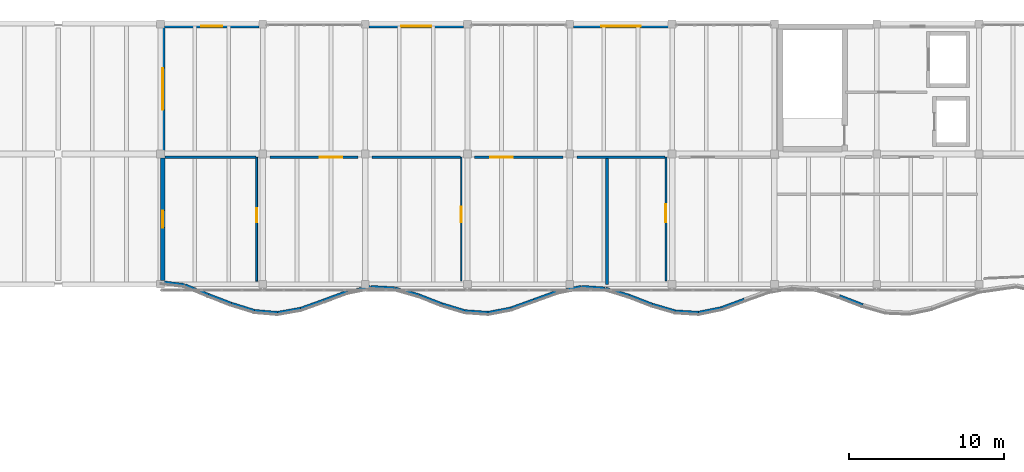
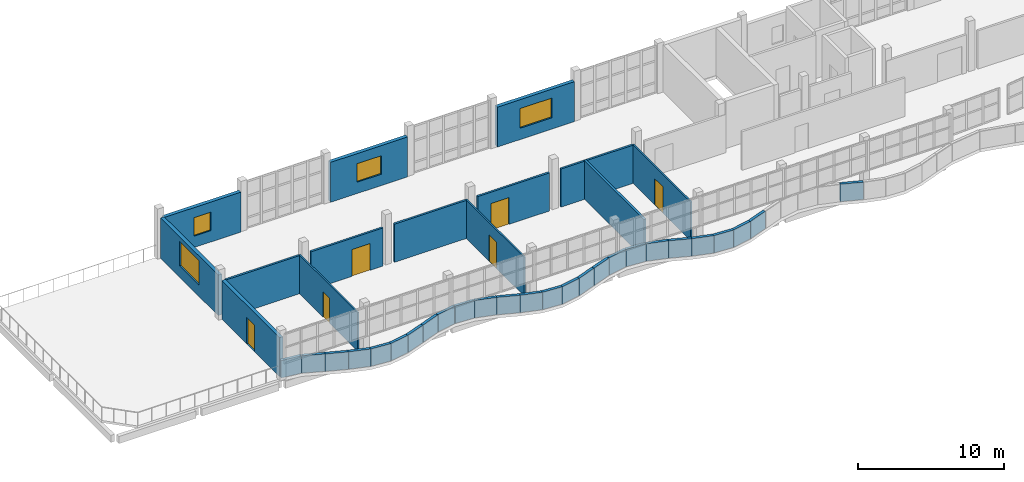
# One storey, part 36 of 47: 40 walls, 6 doors, 4 windows, 10 openings.
"""IFC4 building model written with IfcOpenShell, lengths in metres."""

import ifcopenshell
import ifcopenshell.guid

model = None  # the IFC model being written
_history = None  # IfcOwnerHistory: only IFC2X3 demands one
_inside = {}  # id of a spatial element -> (the spatial element, [elements in it])
_under = {}  # id of a project, library or spatial element -> (it, [spatial elements below it])
_declared = {}  # id of a project -> (the project, [libraries it declares])
_typed = {}  # id of a type object -> (the type object, [elements of that type])
_made_of = {}  # id of a material, layer set ... -> (it, [elements and type objects made of it])


def new_model(schema):
    """Start an empty IFC model of exactly this schema.

    Asked for "IFC4X3", IfcOpenShell would pick the latest addendum, in which some entities
    have other attributes; the version numbers below select the first issue.
    IFC2X3 requires an IfcOwnerHistory on every rooted entity: one is made here for all.
    """
    global model, _history
    if schema == "IFC4X3":
        model = ifcopenshell.file(schema_version=(4, 3, 0, 0))
    else:
        model = ifcopenshell.file(schema=schema)
    _inside.clear()
    _under.clear()
    _declared.clear()
    _typed.clear()
    _made_of.clear()
    _history = None
    if model.schema == "IFC2X3":
        org = make("IfcOrganization", Name="unknown")
        user = make(
            "IfcPersonAndOrganization",
            ThePerson=make("IfcPerson", FamilyName="unknown"),
            TheOrganization=org,
        )
        app = make(
            "IfcApplication",
            ApplicationDeveloper=org,
            Version="unknown",
            ApplicationFullName="unknown",
            ApplicationIdentifier="unknown",
        )
        _history = make(
            "IfcOwnerHistory",
            OwningUser=user,
            OwningApplication=app,
            ChangeAction="ADDED",
            CreationDate=0,
        )
    return model


def make(cls, **values):
    """One entity of the class cls with the attributes given. An attribute that is None is left unset."""
    return model.create_entity(
        cls, **{name: value for name, value in values.items() if value is not None}
    )


def rooted(cls, **values):
    """An entity with a GlobalId (a new one), such as an element, a storey or a relation."""
    return make(cls, GlobalId=ifcopenshell.guid.new(), OwnerHistory=_history, **values)


def si_unit(unit_type, name, prefix=None):
    """IfcSIUnit, for example si_unit("LENGTHUNIT", "METRE", prefix="MILLI")."""
    return make("IfcSIUnit", UnitType=unit_type, Prefix=prefix, Name=name)


def assignment(units):
    """IfcUnitAssignment: the units of a project."""
    return None if units is None else make("IfcUnitAssignment", Units=units)


def point(xyz):
    """IfcCartesianPoint."""
    return None if xyz is None else make("IfcCartesianPoint", Coordinates=xyz)


def direction(xyz):
    """IfcDirection."""
    return None if xyz is None else make("IfcDirection", DirectionRatios=xyz)


def frame(location, z_axis=None, x_axis=None):
    """IfcAxis2Placement3D, a coordinate frame: its origin and axes. An axis left out is left unset."""
    return make(
        "IfcAxis2Placement3D",
        Location=point(location),
        Axis=direction(z_axis),
        RefDirection=direction(x_axis),
    )


def frame_2d(location, x_axis=None):
    """IfcAxis2Placement2D, a coordinate frame in the plane: its origin and x axis."""
    return make(
        "IfcAxis2Placement2D", Location=point(location), RefDirection=direction(x_axis)
    )


def origin():
    """The frame at (0, 0, 0) with its axes left unset."""
    return frame((0.0, 0.0, 0.0))


def place(relative_to, where):
    """IfcLocalPlacement: puts the frame where relative to a parent placement (None: the world)."""
    return make(
        "IfcLocalPlacement", PlacementRelTo=relative_to, RelativePlacement=where
    )


def context(
    kind, dimensions, precision=None, world=None, true_north=None, identifier=None
):
    """IfcGeometricRepresentationContext, for example the 3D "Model" context."""
    return make(
        "IfcGeometricRepresentationContext",
        ContextIdentifier=identifier,
        ContextType=kind,
        CoordinateSpaceDimension=dimensions,
        Precision=precision,
        WorldCoordinateSystem=world,
        TrueNorth=true_north,
    )


def subcontext(parent, identifier, kind, view, scale=None):
    """IfcGeometricRepresentationSubContext, for example "Body" below "Model"."""
    return make(
        "IfcGeometricRepresentationSubContext",
        ContextIdentifier=identifier,
        ContextType=kind,
        ParentContext=parent,
        TargetScale=scale,
        TargetView=view,
    )


def project(units=None, contexts=None):
    """IfcProject with its units and contexts."""
    return rooted(
        "IfcProject",
        Name="project",
        RepresentationContexts=contexts,
        UnitsInContext=assignment(units),
    )


def spatial(cls, under=None, at=None, **own):
    """A site, building, storey or space (cls), placed at a placement, below another one or the project."""
    s = rooted(cls, ObjectPlacement=at, **own)
    if under is not None:
        _under.setdefault(under.id(), (under, []))[1].append(s)
    return s


def profile(cls, at=None, kind="AREA", **sizes):
    """A parametric profile (cls). Its sizes go by their IFC names, for example OverallWidth=200.0."""
    return make(cls, ProfileType=kind, Position=at, **sizes)


def rectangle(**sizes):
    """IfcRectangleProfileDef."""
    return profile("IfcRectangleProfileDef", **sizes)


def extrude(swept, where, along, depth):
    """IfcExtrudedAreaSolid: the profile swept, set in the frame where, extruded along a direction by depth."""
    return make(
        "IfcExtrudedAreaSolid",
        SweptArea=swept,
        Position=where,
        ExtrudedDirection=direction(along),
        Depth=depth,
    )


def shape(context_of_items, identifier, shape_type, items):
    """IfcShapeRepresentation: the items that make up one representation, for example the "Body"."""
    return make(
        "IfcShapeRepresentation",
        ContextOfItems=context_of_items,
        RepresentationIdentifier=identifier,
        RepresentationType=shape_type,
        Items=items,
    )


def material(Name=None, Category=None):
    """IfcMaterial."""
    return make("IfcMaterial", Name=Name, Category=Category)


def layer(
    of_material, thickness, ventilated=None, Name=None, Category=None, Priority=None
):
    """IfcMaterialLayer: one layer of a wall or slab, of a material (None: an air gap)."""
    return make(
        "IfcMaterialLayer",
        Material=of_material,
        LayerThickness=thickness,
        IsVentilated=ventilated,
        Name=Name,
        Category=Category,
        Priority=Priority,
    )


def layer_set(layers, Name=None):
    """IfcMaterialLayerSet."""
    return make("IfcMaterialLayerSet", MaterialLayers=layers, LayerSetName=Name)


def made_of(thing, what):
    """Note that an element or type object is made of a material, layer set ...; save() writes the relation."""
    if what is not None:
        _made_of.setdefault(what.id(), (what, []))[1].append(thing)
    return thing


def type_object(cls, material=None, **own):
    """A type object (cls), such as IfcWallType, which elements share."""
    return made_of(rooted(cls, **own), material)


def element(
    cls,
    number,
    at=None,
    inside=None,
    cuts=None,
    type_object=None,
    material=None,
    context=None,
    identifier="Body",
    shape_type=None,
    held_by="IfcProductDefinitionShape",
    body=None,
    shapes=None,
    **own,
):
    """One element of the class cls, such as IfcWall. Its Tag is "e" and its number.

    at: its placement. inside: the storey or other place that contains it. cuts: it is an
    opening in that element (IfcRelVoidsElement). A single representation is given by context,
    identifier, shape_type and body (its items); several are given by shapes. held_by: the class
    of the entity that holds the representations. save() writes the other relations.
    """
    e = rooted(cls, Tag="e%d" % number, ObjectPlacement=at, **own)
    if body is not None:
        shapes = [shape(context, identifier, shape_type, body)]
    if shapes is not None:
        e.Representation = make(held_by, Representations=shapes)
    if inside is not None:
        _inside.setdefault(inside.id(), (inside, []))[1].append(e)
    if cuts is not None:
        rooted(
            "IfcRelVoidsElement", RelatingBuildingElement=cuts, RelatedOpeningElement=e
        )
    if type_object is not None:
        _typed.setdefault(type_object.id(), (type_object, []))[1].append(e)
    return made_of(e, material)


def fill(opening, filler):
    """IfcRelFillsElement: the door or window that sits in an opening."""
    return rooted(
        "IfcRelFillsElement",
        RelatingOpeningElement=opening,
        RelatedBuildingElement=filler,
    )


def aggregate(whole, parts):
    """IfcRelAggregates: a whole, such as a stair, and the parts it consists of."""
    return rooted("IfcRelAggregates", RelatingObject=whole, RelatedObjects=parts)


def save(model, path):
    """Write the relations noted so far, then the file.

    IfcRelAggregates (storeys below a building ...), IfcRelContainedInSpatialStructure (elements
    in a storey), IfcRelDefinesByType, IfcRelAssociatesMaterial and IfcRelDeclares: one each for
    every whole, place, type object, material and project.
    """
    for whole, parts in _under.values():
        aggregate(whole, parts)
    for where, things in _inside.values():
        rooted(
            "IfcRelContainedInSpatialStructure",
            RelatedElements=things,
            RelatingStructure=where,
        )
    for kind, things in _typed.values():
        rooted("IfcRelDefinesByType", RelatedObjects=things, RelatingType=kind)
    for what, things in _made_of.values():
        rooted("IfcRelAssociatesMaterial", RelatedObjects=things, RelatingMaterial=what)
    for by, libraries in _declared.values():
        rooted("IfcRelDeclares", RelatingContext=by, RelatedDefinitions=libraries)
    model.write(path)


model = new_model("IFC4")

# Units and contexts
model_context = context("Model", 3, precision=1e-05, world=origin(), true_north=direction((0.0, 1.0)))
body_context = subcontext(model_context, "Body", "Model", "MODEL_VIEW")
ifc_project = project(units=[si_unit("LENGTHUNIT", "METRE"), si_unit("AREAUNIT", "SQUARE_METRE"), si_unit("VOLUMEUNIT", "CUBIC_METRE"), si_unit("PLANEANGLEUNIT", "RADIAN"), si_unit("MASSUNIT", "GRAM", prefix="KILO")], contexts=[model_context])

# Site, building, storey
site_placement = place(None, origin())
site = spatial("IfcSite", under=ifc_project, at=site_placement, CompositionType="ELEMENT")
building_placement = place(site_placement, origin())
building = spatial("IfcBuilding", under=site, at=building_placement, Name="Qaldarim Faculty of Natural and Applied Sciences", CompositionType="ELEMENT")
storey_placement = place(building_placement, frame((0.0, 0.0, 22.800048828125)))
storey = spatial("IfcBuildingStorey", under=building, at=storey_placement, Name="L05", CompositionType="ELEMENT", Elevation=22.800048828125)

# Wall, opening, door
ifc_material_1 = material(Name="Painted gypsum partition board")
ifc_layer_1 = layer(ifc_material_1, 0.1201171875)
ifc_layer_set_1 = layer_set([ifc_layer_1], Name="Painted gypsum partition board")
wall_type_1 = type_object("IfcWallType", Name="AcousticPartition-120", PredefinedType="PARTITIONING", material=ifc_layer_set_1)
wall_1_placement = place(storey_placement, frame((65.60009765625, 101.0, 0.0), z_axis=(0.0, 0.0, 1.0), x_axis=(0.0, 1.0, 0.0)))
wall_1 = element("IfcWall", 1, at=wall_1_placement, inside=storey, type_object=wall_type_1, Name="Interior partition PRT-L05-V4-SUB-1", PredefinedType="PARTITIONING", context=body_context, shape_type="SweptSolid", body=[
    extrude(rectangle(XDim=8.0, YDim=0.1201171875, at=frame_2d((4.0, 0.0))), origin(), (0.0, 0.0, 1.0), 3.22998046875),
])
opening_1_placement = place(wall_1_placement, frame((3.800048828125, 0.0, 0.0)))
opening_1 = element("IfcOpeningElement", 2, at=opening_1_placement, cuts=wall_1, Name="Opening ID07", PredefinedType="OPENING", context=body_context, shape_type="SweptSolid", body=[
    extrude(rectangle(XDim=0.89990234375, YDim=2.10009765625, at=frame_2d((0.449951171875, 1.050048828125))), frame((0.0, 0.070068359375, 0.0), z_axis=(0.0, -1.0, 0.0), x_axis=(1.0, 0.0, 0.0)), (0.0, 0.0, 1.0), 0.14013671875),
])
ifc_material_2 = material(Name="Oak hardwood", Category="wood")
door_type_1 = type_object("IfcDoorType", Name="OfficeStudyDoor-900x2100", OperationType="NOTDEFINED", PredefinedType="DOOR", material=ifc_material_2)
door_1_placement = place(opening_1_placement, origin())
door_1 = element("IfcDoor", 3, at=door_1_placement, inside=storey, type_object=door_type_1, Name="Interior door D-L05-351", OperationType="SINGLE_SWING_LEFT", OverallHeight=2.10009765625, OverallWidth=0.89990234375, PredefinedType="DOOR", context=body_context, shape_type="SweptSolid", body=[
    extrude(rectangle(XDim=0.89990234375, YDim=2.10009765625, at=frame_2d((0.449951171875, 1.050048828125))), frame((0.0, 0.02490234375, 0.0), z_axis=(0.0, -1.0, 0.0), x_axis=(1.0, 0.0, 0.0)), (0.0, 0.0, 1.0), 0.050048828125),
])
fill(opening_1, door_1)

wall_2_placement = place(storey_placement, frame((78.800048828125, 101.0, 0.0), z_axis=(0.0, 0.0, 1.0), x_axis=(0.0, 1.0, 0.0)))
wall_2 = element("IfcWall", 4, at=wall_2_placement, inside=storey, type_object=wall_type_1, Name="Interior partition PRT-L05-V4-SUB-2", PredefinedType="PARTITIONING", context=body_context, shape_type="SweptSolid", body=[
    extrude(rectangle(XDim=8.0, YDim=0.1201171875, at=frame_2d((4.0, 0.0))), origin(), (0.0, 0.0, 1.0), 3.22998046875),
])
opening_2_placement = place(wall_2_placement, frame((3.800048828125, 0.0, 0.0)))
opening_2 = element("IfcOpeningElement", 5, at=opening_2_placement, cuts=wall_2, Name="Opening ID08", PredefinedType="OPENING", context=body_context, shape_type="SweptSolid", body=[
    extrude(rectangle(XDim=1.0, YDim=2.199951171875, at=frame_2d((0.5, 1.10009765625))), frame((0.0, 0.070068359375, 0.0), z_axis=(0.0, -1.0, 0.0), x_axis=(1.0, 0.0, 0.0)), (0.0, 0.0, 1.0), 0.14013671875),
])
door_type_2 = type_object("IfcDoorType", Name="SeminarRoomDoor-1000x2200", OperationType="NOTDEFINED", PredefinedType="DOOR", material=ifc_material_2)
door_2_placement = place(opening_2_placement, origin())
door_2 = element("IfcDoor", 6, at=door_2_placement, inside=storey, type_object=door_type_2, Name="Interior door D-L05-352", OperationType="SINGLE_SWING_LEFT", OverallHeight=2.199951171875, OverallWidth=1.0, PredefinedType="DOOR", context=body_context, shape_type="SweptSolid", body=[
    extrude(rectangle(XDim=1.0, YDim=2.199951171875, at=frame_2d((0.5, 1.10009765625))), frame((0.0, 0.02490234375, 0.0), z_axis=(0.0, -1.0, 0.0), x_axis=(1.0, 0.0, 0.0)), (0.0, 0.0, 1.0), 0.050048828125),
])
fill(opening_2, door_2)

wall_3_placement = place(storey_placement, frame((92.0, 101.0, 0.0), z_axis=(0.0, 0.0, 1.0), x_axis=(0.0, 1.0, 0.0)))
wall_3 = element("IfcWall", 7, at=wall_3_placement, inside=storey, type_object=wall_type_1, Name="Interior partition PRT-L05-V4-SUB-3", PredefinedType="PARTITIONING", context=body_context, shape_type="SweptSolid", body=[
    extrude(rectangle(XDim=8.0, YDim=0.1201171875, at=frame_2d((4.0, 0.0))), origin(), (0.0, 0.0, 1.0), 3.22998046875),
])
opening_3_placement = place(wall_3_placement, frame((3.800048828125, 0.0, 0.0)))
opening_3 = element("IfcOpeningElement", 8, at=opening_3_placement, cuts=wall_3, Name="Opening ID09", PredefinedType="OPENING", context=body_context, shape_type="SweptSolid", body=[
    extrude(rectangle(XDim=1.14990234375, YDim=2.199951171875, at=frame_2d((0.574951171875, 1.10009765625))), frame((0.0, 0.070068359375, 0.0), z_axis=(0.0, -1.0, 0.0), x_axis=(1.0, 0.0, 0.0)), (0.0, 0.0, 1.0), 0.14013671875),
])
ifc_material_3 = material(Name="Architectural stainless steel 316", Category="steel")
door_type_3 = type_object("IfcDoorType", Name="CleanroomAirlockDoor-1150x2200", OperationType="NOTDEFINED", PredefinedType="DOOR", material=ifc_material_3)
door_3_placement = place(opening_3_placement, origin())
door_3 = element("IfcDoor", 9, at=door_3_placement, inside=storey, type_object=door_type_3, Name="Interior door D-L05-353", OperationType="SINGLE_SWING_LEFT", OverallHeight=2.199951171875, OverallWidth=1.14990234375, PredefinedType="DOOR", context=body_context, shape_type="SweptSolid", body=[
    extrude(rectangle(XDim=1.14990234375, YDim=2.199951171875, at=frame_2d((0.574951171875, 1.10009765625))), frame((0.0, 0.02490234375, 0.0), z_axis=(0.0, -1.0, 0.0), x_axis=(1.0, 0.0, 0.0)), (0.0, 0.0, 1.0), 0.050048828125),
])
fill(opening_3, door_3)

ifc_material_4 = material(Name="Precast concrete C40/50", Category="concrete")
ifc_layer_2 = layer(ifc_material_4, 0.280029296875)
ifc_layer_set_2 = layer_set([ifc_layer_2], Name="Precast concrete C40/50")
wall_type_2 = type_object("IfcWallType", Name="ExteriorSpandrelWall-280", PredefinedType="SOLIDWALL", material=ifc_layer_set_2)
wall_4_placement = place(storey_placement, frame((59.5400390625, 108.955078125, 0.0), z_axis=(0.0, 0.0, 1.0), x_axis=(0.0, -1.0, 0.0)))
wall_4 = element("IfcWall", 10, at=wall_4_placement, inside=storey, type_object=wall_type_2, Name="Exterior wall EW02 L05 W X10Y13", PredefinedType="SOLIDWALL", context=body_context, shape_type="SweptSolid", body=[
    extrude(rectangle(XDim=7.91015625, YDim=0.280029296875, at=frame_2d((3.955078125, 0.0))), origin(), (0.0, 0.0, 1.0), 3.244873046875),
])
opening_4_placement = place(wall_4_placement, frame((3.405029296875, 0.0, 0.0)))
opening_4 = element("IfcOpeningElement", 11, at=opening_4_placement, cuts=wall_4, Name="Opening ED03", PredefinedType="OPENING", context=body_context, shape_type="SweptSolid", body=[
    extrude(rectangle(XDim=1.10009765625, YDim=2.199951171875, at=frame_2d((0.550048828125, 1.10009765625))), frame((0.0, 0.14990234375, 0.0), z_axis=(0.0, -1.0, 0.0), x_axis=(1.0, 0.0, 0.0)), (0.0, 0.0, 1.0), 0.300048828125),
])
ifc_material_5 = material(Name="Anodised aluminium AW-6063", Category="aluminium")
door_type_4 = type_object("IfcDoorType", Name="TerraceAccessDoor-1100x2200", OperationType="NOTDEFINED", PredefinedType="DOOR", material=ifc_material_5)
door_4_placement = place(opening_4_placement, frame((1.10009765625, 0.0, 0.0), z_axis=(0.0, 0.0, 1.0), x_axis=(-1.0, 0.0, 0.0)))
door_4 = element("IfcDoor", 12, at=door_4_placement, inside=storey, type_object=door_type_4, Name="Terrace access door D-L05-028", OperationType="SINGLE_SWING_RIGHT", OverallHeight=2.199951171875, OverallWidth=1.10009765625, PredefinedType="DOOR", context=body_context, shape_type="SweptSolid", body=[
    extrude(rectangle(XDim=1.10009765625, YDim=2.199951171875, at=frame_2d((0.550048828125, 1.10009765625))), frame((0.0, 0.02490234375, 0.0), z_axis=(0.0, -1.0, 0.0), x_axis=(1.0, 0.0, 0.0)), (0.0, 0.0, 1.0), 0.050048828125),
])
fill(opening_4, door_4)

# Wall, opening, window
wall_5_placement = place(storey_placement, frame((65.7548828125, 117.4599609375, 0.0), z_axis=(0.0, 0.0, 1.0), x_axis=(-1.0, 0.0, 0.0)))
wall_5 = element("IfcWall", 13, at=wall_5_placement, inside=storey, type_object=wall_type_2, Name="Exterior wall EW02 L05 N X10Y14", PredefinedType="SOLIDWALL", context=body_context, shape_type="SweptSolid", body=[
    extrude(rectangle(XDim=6.10986328125, YDim=0.280029296875, at=frame_2d((3.054931640625, 0.0))), origin(), (0.0, 0.0, 1.0), 3.344970703125),
])
opening_5_placement = place(wall_5_placement, frame((2.3798828125, 0.0, 0.949951171875)))
opening_5 = element("IfcOpeningElement", 14, at=opening_5_placement, cuts=wall_5, Name="Opening WN09", PredefinedType="OPENING", context=body_context, shape_type="SweptSolid", body=[
    extrude(rectangle(XDim=1.35009765625, YDim=1.550048828125, at=frame_2d((0.675048828125, 0.77490234375))), frame((0.0, 0.14990234375, 0.0), z_axis=(0.0, -1.0, 0.0), x_axis=(1.0, 0.0, 0.0)), (0.0, 0.0, 1.0), 0.300048828125),
])
ifc_material_6 = material(Name="Insulated low-e double glazing", Category="glass")
window_type_1 = type_object("IfcWindowType", Name="LabWindow-1350x1550", PartitioningType="SINGLE_PANEL", PredefinedType="WINDOW", material=ifc_material_6)
window_1_placement = place(opening_5_placement, origin())
window_1 = element("IfcWindow", 15, at=window_1_placement, inside=storey, type_object=window_type_1, Name="Facade window WN09 L05 N X10Y14", OverallHeight=1.550048828125, OverallWidth=1.35009765625, PartitioningType="SINGLE_PANEL", PredefinedType="WINDOW", context=body_context, shape_type="SweptSolid", body=[
    extrude(rectangle(XDim=1.35009765625, YDim=1.550048828125, at=frame_2d((0.675048828125, 0.77490234375))), frame((0.0, 0.030029296875, 0.0), z_axis=(0.0, -1.0, 0.0), x_axis=(1.0, 0.0, 0.0)), (0.0, 0.0, 1.0), 0.06005859375),
])
fill(opening_5, window_1)

wall_6_placement = place(storey_placement, frame((59.5400390625, 117.35498046875, 0.0), z_axis=(0.0, 0.0, 1.0), x_axis=(0.0, -1.0, 0.0)))
wall_6 = element("IfcWall", 16, at=wall_6_placement, inside=storey, type_object=wall_type_2, Name="Exterior wall EW02 L05 W X10Y14", PredefinedType="SOLIDWALL", context=body_context, shape_type="SweptSolid", body=[
    extrude(rectangle(XDim=7.909912109375, YDim=0.280029296875, at=frame_2d((3.955078125, 0.0))), origin(), (0.0, 0.0, 1.0), 3.39501953125),
])
opening_6_placement = place(wall_6_placement, frame((2.60498046875, 0.0, 0.949951171875)))
opening_6 = element("IfcOpeningElement", 17, at=opening_6_placement, cuts=wall_6, Name="Opening WN29", PredefinedType="OPENING", context=body_context, shape_type="SweptSolid", body=[
    extrude(rectangle(XDim=2.699951171875, YDim=2.050048828125, at=frame_2d((1.35009765625, 1.02490234375))), frame((0.0, 0.14990234375, 0.0), z_axis=(0.0, -1.0, 0.0), x_axis=(1.0, 0.0, 0.0)), (0.0, 0.0, 1.0), 0.300048828125),
])
window_type_2 = type_object("IfcWindowType", Name="GalleryWindow-2700x2050", PartitioningType="TRIPLE_PANEL_VERTICAL", PredefinedType="WINDOW", material=ifc_material_6)
window_2_placement = place(opening_6_placement, origin())
window_2 = element("IfcWindow", 18, at=window_2_placement, inside=storey, type_object=window_type_2, Name="Facade window WN29 L05 W X10Y14", OverallHeight=2.050048828125, OverallWidth=2.699951171875, PartitioningType="SINGLE_PANEL", PredefinedType="WINDOW", context=body_context, shape_type="SweptSolid", body=[
    extrude(rectangle(XDim=2.699951171875, YDim=2.050048828125, at=frame_2d((1.35009765625, 1.02490234375))), frame((0.0, 0.030029296875, 0.0), z_axis=(0.0, -1.0, 0.0), x_axis=(1.0, 0.0, 0.0)), (0.0, 0.0, 1.0), 0.06005859375),
])
fill(opening_6, window_2)

wall_7_placement = place(storey_placement, frame((78.955078125, 117.4599609375, 0.0), z_axis=(0.0, 0.0, 1.0), x_axis=(-1.0, 0.0, 0.0)))
wall_7 = element("IfcWall", 19, at=wall_7_placement, inside=storey, type_object=wall_type_2, Name="Exterior wall EW02 L05 N X12Y14", PredefinedType="SOLIDWALL", context=body_context, shape_type="SweptSolid", body=[
    extrude(rectangle(XDim=6.110107421875, YDim=0.280029296875, at=frame_2d((3.05517578125, 0.0))), origin(), (0.0, 0.0, 1.0), 3.344970703125),
])
opening_7_placement = place(wall_7_placement, frame((2.080078125, 0.0, 0.949951171875)))
opening_7 = element("IfcOpeningElement", 20, at=opening_7_placement, cuts=wall_7, Name="Opening WN11", PredefinedType="OPENING", context=body_context, shape_type="SweptSolid", body=[
    extrude(rectangle(XDim=1.949951171875, YDim=1.550048828125, at=frame_2d((0.97509765625, 0.77490234375))), frame((0.0, 0.14990234375, 0.0), z_axis=(0.0, -1.0, 0.0), x_axis=(1.0, 0.0, 0.0)), (0.0, 0.0, 1.0), 0.300048828125),
])
window_type_3 = type_object("IfcWindowType", Name="LabWindow-1950x1550", PartitioningType="DOUBLE_PANEL_VERTICAL", PredefinedType="WINDOW", material=ifc_material_6)
window_3_placement = place(opening_7_placement, origin())
window_3 = element("IfcWindow", 21, at=window_3_placement, inside=storey, type_object=window_type_3, Name="Facade window WN11 L05 N X12Y14", OverallHeight=1.550048828125, OverallWidth=1.949951171875, PartitioningType="SINGLE_PANEL", PredefinedType="WINDOW", context=body_context, shape_type="SweptSolid", body=[
    extrude(rectangle(XDim=1.949951171875, YDim=1.550048828125, at=frame_2d((0.97509765625, 0.77490234375))), frame((0.0, 0.030029296875, 0.0), z_axis=(0.0, -1.0, 0.0), x_axis=(1.0, 0.0, 0.0)), (0.0, 0.0, 1.0), 0.06005859375),
])
fill(opening_7, window_3)

wall_8_placement = place(storey_placement, frame((92.155029296875, 117.4599609375, 0.0), z_axis=(0.0, 0.0, 1.0), x_axis=(-1.0, 0.0, 0.0)))
wall_8 = element("IfcWall", 22, at=wall_8_placement, inside=storey, type_object=wall_type_2, Name="Exterior wall EW02 L05 N X14Y14", PredefinedType="SOLIDWALL", context=body_context, shape_type="SweptSolid", body=[
    extrude(rectangle(XDim=6.110107421875, YDim=0.280029296875, at=frame_2d((3.05517578125, 0.0))), origin(), (0.0, 0.0, 1.0), 3.344970703125),
])
opening_8_placement = place(wall_8_placement, frame((1.780029296875, 0.0, 0.949951171875)))
opening_8 = element("IfcOpeningElement", 23, at=opening_8_placement, cuts=wall_8, Name="Opening WN13", PredefinedType="OPENING", context=body_context, shape_type="SweptSolid", body=[
    extrude(rectangle(XDim=2.550048828125, YDim=1.64990234375, at=frame_2d((1.27490234375, 0.824951171875))), frame((0.0, 0.14990234375, 0.0), z_axis=(0.0, -1.0, 0.0), x_axis=(1.0, 0.0, 0.0)), (0.0, 0.0, 1.0), 0.300048828125),
])
window_type_4 = type_object("IfcWindowType", Name="LabWindow-2550x1650", PartitioningType="TRIPLE_PANEL_VERTICAL", PredefinedType="WINDOW", material=ifc_material_6)
window_4_placement = place(opening_8_placement, origin())
window_4 = element("IfcWindow", 24, at=window_4_placement, inside=storey, type_object=window_type_4, Name="Facade window WN13 L05 N X14Y14", OverallHeight=1.64990234375, OverallWidth=2.550048828125, PartitioningType="SINGLE_PANEL", PredefinedType="WINDOW", context=body_context, shape_type="SweptSolid", body=[
    extrude(rectangle(XDim=2.550048828125, YDim=1.64990234375, at=frame_2d((1.27490234375, 0.824951171875))), frame((0.0, 0.030029296875, 0.0), z_axis=(0.0, -1.0, 0.0), x_axis=(1.0, 0.0, 0.0)), (0.0, 0.0, 1.0), 0.06005859375),
])
fill(opening_8, window_4)

# Wall
ifc_material_7 = material(Name="Concrete C40/50", Category="concrete")
ifc_layer_3 = layer(ifc_material_7, 0.159912109375)
ifc_layer_set_3 = layer_set([ifc_layer_3], Name="Concrete C40/50")
wall_type_3 = type_object("IfcWallType", Name="FireCorridorWall-160", PredefinedType="PARTITIONING", material=ifc_layer_set_3)
wall_9_placement = place(storey_placement, frame((59.679931640625, 109.0, 0.0), z_axis=(0.0, 0.0, 1.0), x_axis=(1.0, 0.0, 0.0)))
element("IfcWall", 25, at=wall_9_placement, inside=storey, type_object=wall_type_3, Name="Interior partition PRT-L05-V4-CORSW-S1", PredefinedType="PARTITIONING", context=body_context, shape_type="SweptSolid", body=[
    extrude(rectangle(XDim=5.8701171875, YDim=0.159912109375, at=frame_2d((2.93505859375, 0.0))), origin(), (0.0, 0.0, 1.0), 3.195068359375),
])

# Wall, opening, door
wall_10_placement = place(storey_placement, frame((66.449951171875, 109.0, 0.0), z_axis=(0.0, 0.0, 1.0), x_axis=(1.0, 0.0, 0.0)))
wall_10 = element("IfcWall", 26, at=wall_10_placement, inside=storey, type_object=wall_type_3, Name="Interior partition PRT-L05-V4-CORSW-S2", PredefinedType="PARTITIONING", context=body_context, shape_type="SweptSolid", body=[
    extrude(rectangle(XDim=5.699951171875, YDim=0.159912109375, at=frame_2d((2.85009765625, 0.0))), origin(), (0.0, 0.0, 1.0), 3.195068359375),
])
opening_9_placement = place(wall_10_placement, frame((3.22998046875, 0.0, 0.0)))
opening_9 = element("IfcOpeningElement", 27, at=opening_9_placement, cuts=wall_10, Name="Opening ID11", PredefinedType="OPENING", context=body_context, shape_type="SweptSolid", body=[
    extrude(rectangle(XDim=1.449951171875, YDim=2.25, at=frame_2d((0.72509765625, 1.125))), frame((0.0, 0.08984375, 0.0), z_axis=(0.0, -1.0, 0.0), x_axis=(1.0, 0.0, 0.0)), (0.0, 0.0, 1.0), 0.179931640625),
])
door_type_5 = type_object("IfcDoorType", Name="InstrumentSuiteDoor-1450x2250", OperationType="NOTDEFINED", PredefinedType="DOOR", material=ifc_material_3)
door_5_placement = place(opening_9_placement, origin())
door_5 = element("IfcDoor", 28, at=door_5_placement, inside=storey, type_object=door_type_5, Name="Interior door D-L05-255", OperationType="SINGLE_SWING_LEFT", OverallHeight=2.25, OverallWidth=1.449951171875, PredefinedType="DOOR", context=body_context, shape_type="SweptSolid", body=[
    extrude(rectangle(XDim=1.449951171875, YDim=2.25, at=frame_2d((0.72509765625, 1.125))), frame((0.0, 0.02490234375, 0.0), z_axis=(0.0, -1.0, 0.0), x_axis=(1.0, 0.0, 0.0)), (0.0, 0.0, 1.0), 0.050048828125),
])
fill(opening_9, door_5)

# Wall
wall_11_placement = place(storey_placement, frame((73.050048828125, 109.0, 0.0), z_axis=(0.0, 0.0, 1.0), x_axis=(1.0, 0.0, 0.0)))
element("IfcWall", 29, at=wall_11_placement, inside=storey, type_object=wall_type_3, Name="Interior partition PRT-L05-V4-CORSW-S3", PredefinedType="PARTITIONING", context=body_context, shape_type="SweptSolid", body=[
    extrude(rectangle(XDim=5.699951171875, YDim=0.159912109375, at=frame_2d((2.85009765625, 0.0))), origin(), (0.0, 0.0, 1.0), 3.195068359375),
])

# Wall, opening, door
wall_12_placement = place(storey_placement, frame((79.64990234375, 109.0, 0.0), z_axis=(0.0, 0.0, 1.0), x_axis=(1.0, 0.0, 0.0)))
wall_12 = element("IfcWall", 30, at=wall_12_placement, inside=storey, type_object=wall_type_3, Name="Interior partition PRT-L05-V4-CORSW-S4", PredefinedType="PARTITIONING", context=body_context, shape_type="SweptSolid", body=[
    extrude(rectangle(XDim=5.7001953125, YDim=0.159912109375, at=frame_2d((2.85009765625, 0.0))), origin(), (0.0, 0.0, 1.0), 3.195068359375),
])
opening_10_placement = place(wall_12_placement, frame((1.030029296875, 0.0, 0.0)))
opening_10 = element("IfcOpeningElement", 31, at=opening_10_placement, cuts=wall_12, Name="Opening ID11", PredefinedType="OPENING", context=body_context, shape_type="SweptSolid", body=[
    extrude(rectangle(XDim=1.449951171875, YDim=2.25, at=frame_2d((0.72509765625, 1.125))), frame((0.0, 0.08984375, 0.0), z_axis=(0.0, -1.0, 0.0), x_axis=(1.0, 0.0, 0.0)), (0.0, 0.0, 1.0), 0.179931640625),
])
door_6_placement = place(opening_10_placement, origin())
door_6 = element("IfcDoor", 32, at=door_6_placement, inside=storey, type_object=door_type_5, Name="Interior door D-L05-256", OperationType="SINGLE_SWING_RIGHT", OverallHeight=2.25, OverallWidth=1.449951171875, PredefinedType="DOOR", context=body_context, shape_type="SweptSolid", body=[
    extrude(rectangle(XDim=1.449951171875, YDim=2.25, at=frame_2d((0.72509765625, 1.125))), frame((0.0, 0.02490234375, 0.0), z_axis=(0.0, -1.0, 0.0), x_axis=(1.0, 0.0, 0.0)), (0.0, 0.0, 1.0), 0.050048828125),
])
fill(opening_10, door_6)

# Walls
wall_13_placement = place(storey_placement, frame((86.25, 109.0, 0.0), z_axis=(0.0, 0.0, 1.0), x_axis=(1.0, 0.0, 0.0)))
element("IfcWall", 33, at=wall_13_placement, inside=storey, type_object=wall_type_3, Name="Interior partition PRT-L05-V4-CORSW-S5", PredefinedType="PARTITIONING", context=body_context, shape_type="SweptSolid", body=[
    extrude(rectangle(XDim=5.699951171875, YDim=0.159912109375, at=frame_2d((2.85009765625, 0.0))), origin(), (0.0, 0.0, 1.0), 3.195068359375),
])
ifc_layer_4 = layer(ifc_material_7, 0.179931640625)
ifc_layer_set_4 = layer_set([ifc_layer_4], Name="Concrete C40/50")
wall_type_4 = type_object("IfcWallType", Name="LabFireCompartmentWall-180", PredefinedType="SOLIDWALL", material=ifc_layer_set_4)
wall_14_placement = place(storey_placement, frame((88.199951171875, 100.800048828125, 0.0), z_axis=(0.0, 0.0, 1.0), x_axis=(0.0, 1.0, 0.0)))
element("IfcWall", 34, at=wall_14_placement, inside=storey, type_object=wall_type_4, Name="Interior partition PRT-L05-V4-GRDD", PredefinedType="SOLIDWALL", context=body_context, shape_type="SweptSolid", body=[
    extrude(rectangle(XDim=8.199951171875, YDim=0.179931640625, at=frame_2d((4.10009765625, 0.0))), origin(), (0.0, 0.0, 1.0), 3.22998046875),
])
ifc_material_8 = material(Name="White architectural precast concrete C40/50", Category="concrete")
ifc_layer_5 = layer(ifc_material_8, 0.219970703125)
ifc_layer_set_5 = layer_set([ifc_layer_5], Name="White architectural precast concrete C40/50")
wall_type_5 = type_object("IfcWallType", Name="WhitePrecastWaveBand-220", PredefinedType="SOLIDWALL", material=ifc_layer_set_5)
wall_15_placement = place(storey_placement, frame((59.419921875, 100.93994140625, 0.0), z_axis=(0.0, 0.0, 1.0), x_axis=(0.9917791796, -0.127961161733, 0.0)))
element("IfcWall", 35, at=wall_15_placement, inside=storey, type_object=wall_type_5, Name="White precast wave spandrel band L05 chord 01", PredefinedType="SOLIDWALL", context=body_context, shape_type="SweptSolid", body=[
    extrude(rectangle(XDim=1.5224609375, YDim=0.219970703125, at=frame_2d((0.76123046875, 0.0))), origin(), (0.0, 0.0, 1.0), 1.449951171875),
])
wall_16_placement = place(storey_placement, frame((60.965087890625, 100.735107421875, 0.0), z_axis=(0.0, 0.0, 1.0), x_axis=(0.924578660971, -0.380991206824, 0.0)))
element("IfcWall", 36, at=wall_16_placement, inside=storey, type_object=wall_type_5, Name="White precast wave spandrel band L05 chord 02", PredefinedType="SOLIDWALL", context=body_context, shape_type="SweptSolid", body=[
    extrude(rectangle(XDim=1.627685546875, YDim=0.219970703125, at=frame_2d((0.81396484375, 0.0))), origin(), (0.0, 0.0, 1.0), 1.449951171875),
])
wall_17_placement = place(storey_placement, frame((62.465087890625, 100.114990234375, 0.0), z_axis=(0.0, 0.0, 1.0), x_axis=(0.933489457338, -0.358604842463, 0.0)))
element("IfcWall", 37, at=wall_17_placement, inside=storey, type_object=wall_type_5, Name="White precast wave spandrel band L05 chord 03", PredefinedType="SOLIDWALL", context=body_context, shape_type="SweptSolid", body=[
    extrude(rectangle(XDim=1.61767578125, YDim=0.219970703125, at=frame_2d((0.808837890625, 0.0))), origin(), (0.0, 0.0, 1.0), 1.449951171875),
])
wall_18_placement = place(storey_placement, frame((63.965087890625, 99.5400390625, 0.0), z_axis=(0.0, 0.0, 1.0), x_axis=(0.95482271116, -0.297176025705, 0.0)))
element("IfcWall", 38, at=wall_18_placement, inside=storey, type_object=wall_type_5, Name="White precast wave spandrel band L05 chord 04", PredefinedType="SOLIDWALL", context=body_context, shape_type="SweptSolid", body=[
    extrude(rectangle(XDim=1.58154296875, YDim=0.219970703125, at=frame_2d((0.790771484375, 0.0))), origin(), (0.0, 0.0, 1.0), 1.449951171875),
])
wall_19_placement = place(storey_placement, frame((65.445068359375, 99.074951171875, 0.0), z_axis=(0.0, 0.0, 1.0), x_axis=(0.99632114943, -0.085698116653, 0.0)))
element("IfcWall", 39, at=wall_19_placement, inside=storey, type_object=wall_type_5, Name="White precast wave spandrel band L05 chord 05", PredefinedType="SOLIDWALL", context=body_context, shape_type="SweptSolid", body=[
    extrude(rectangle(XDim=1.515625, YDim=0.219970703125, at=frame_2d((0.7578125, 0.0))), origin(), (0.0, 0.0, 1.0), 1.449951171875),
])
wall_20_placement = place(storey_placement, frame((66.919921875, 98.945068359375, 0.0), z_axis=(0.0, 0.0, 1.0), x_axis=(0.984286152258, 0.176580776058, 0.0)))
element("IfcWall", 40, at=wall_20_placement, inside=storey, type_object=wall_type_5, Name="White precast wave spandrel band L05 chord 06", PredefinedType="SOLIDWALL", context=body_context, shape_type="SweptSolid", body=[
    extrude(rectangle(XDim=1.529052734375, YDim=0.219970703125, at=frame_2d((0.7646484375, 0.0))), origin(), (0.0, 0.0, 1.0), 1.449951171875),
])
wall_21_placement = place(storey_placement, frame((68.405029296875, 99.205078125, 0.0), z_axis=(0.0, 0.0, 1.0), x_axis=(0.941593715183, 0.336751058688, 0.0)))
element("IfcWall", 41, at=wall_21_placement, inside=storey, type_object=wall_type_5, Name="White precast wave spandrel band L05 chord 07", PredefinedType="SOLIDWALL", context=body_context, shape_type="SweptSolid", body=[
    extrude(rectangle(XDim=1.603759765625, YDim=0.219970703125, at=frame_2d((0.8017578125, 0.0))), origin(), (0.0, 0.0, 1.0), 1.449951171875),
])
wall_22_placement = place(storey_placement, frame((69.909912109375, 99.7451171875, 0.0), z_axis=(0.0, 0.0, 1.0), x_axis=(0.937637162141, 0.347615523491, 0.0)))
element("IfcWall", 42, at=wall_22_placement, inside=storey, type_object=wall_type_5, Name="White precast wave spandrel band L05 chord 08", PredefinedType="SOLIDWALL", context=body_context, shape_type="SweptSolid", body=[
    extrude(rectangle(XDim=1.6103515625, YDim=0.219970703125, at=frame_2d((0.80517578125, 0.0))), origin(), (0.0, 0.0, 1.0), 1.449951171875),
])
wall_23_placement = place(storey_placement, frame((71.43994140625, 100.31005859375, 0.0), z_axis=(0.0, 0.0, 1.0), x_axis=(0.980088467878, 0.198561313281, 0.0)))
element("IfcWall", 43, at=wall_23_placement, inside=storey, type_object=wall_type_5, Name="White precast wave spandrel band L05 chord 09", PredefinedType="SOLIDWALL", context=body_context, shape_type="SweptSolid", body=[
    extrude(rectangle(XDim=1.53564453125, YDim=0.219970703125, at=frame_2d((0.767822265625, 0.0))), origin(), (0.0, 0.0, 1.0), 1.449951171875),
])
wall_24_placement = place(storey_placement, frame((72.985107421875, 100.6201171875, 0.0), z_axis=(0.0, 0.0, 1.0), x_axis=(0.998411797522, -0.056337221881, 0.0)))
element("IfcWall", 44, at=wall_24_placement, inside=storey, type_object=wall_type_5, Name="White precast wave spandrel band L05 chord 10", PredefinedType="SOLIDWALL", context=body_context, shape_type="SweptSolid", body=[
    extrude(rectangle(XDim=1.512451171875, YDim=0.219970703125, at=frame_2d((0.75634765625, 0.0))), origin(), (0.0, 0.0, 1.0), 1.449951171875),
])
wall_25_placement = place(storey_placement, frame((74.52490234375, 100.530029296875, 0.0), z_axis=(0.0, 0.0, 1.0), x_axis=(0.960911858265, -0.276854475575, 0.0)))
element("IfcWall", 45, at=wall_25_placement, inside=storey, type_object=wall_type_5, Name="White precast wave spandrel band L05 chord 11", PredefinedType="SOLIDWALL", context=body_context, shape_type="SweptSolid", body=[
    extrude(rectangle(XDim=1.571533203125, YDim=0.219970703125, at=frame_2d((0.78564453125, 0.0))), origin(), (0.0, 0.0, 1.0), 1.449951171875),
])
wall_26_placement = place(storey_placement, frame((76.044921875, 100.090087890625, 0.0), z_axis=(0.0, 0.0, 1.0), x_axis=(0.932425592002, -0.361362028137, 0.0)))
element("IfcWall", 46, at=wall_26_placement, inside=storey, type_object=wall_type_5, Name="White precast wave spandrel band L05 chord 12", PredefinedType="SOLIDWALL", context=body_context, shape_type="SweptSolid", body=[
    extrude(rectangle(XDim=1.619384765625, YDim=0.219970703125, at=frame_2d((0.8095703125, 0.0))), origin(), (0.0, 0.0, 1.0), 1.449951171875),
])
wall_27_placement = place(storey_placement, frame((77.544921875, 99.510009765625, 0.0), z_axis=(0.0, 0.0, 1.0), x_axis=(0.957204425506, -0.28941266004, 0.0)))
element("IfcWall", 47, at=wall_27_placement, inside=storey, type_object=wall_type_5, Name="White precast wave spandrel band L05 chord 13", PredefinedType="SOLIDWALL", context=body_context, shape_type="SweptSolid", body=[
    extrude(rectangle(XDim=1.572509765625, YDim=0.219970703125, at=frame_2d((0.7861328125, 0.0))), origin(), (0.0, 0.0, 1.0), 1.449951171875),
])
wall_28_placement = place(storey_placement, frame((79.02001953125, 99.06005859375, 0.0), z_axis=(0.0, 0.0, 1.0), x_axis=(0.997352012073, -0.072725263936, 0.0)))
element("IfcWall", 48, at=wall_28_placement, inside=storey, type_object=wall_type_5, Name="White precast wave spandrel band L05 chord 14", PredefinedType="SOLIDWALL", context=body_context, shape_type="SweptSolid", body=[
    extrude(rectangle(XDim=1.513916015625, YDim=0.219970703125, at=frame_2d((0.7568359375, 0.0))), origin(), (0.0, 0.0, 1.0), 1.449951171875),
])
wall_29_placement = place(storey_placement, frame((80.4951171875, 98.945068359375, 0.0), z_axis=(0.0, 0.0, 1.0), x_axis=(0.982042675123, 0.188658909775, 0.0)))
element("IfcWall", 49, at=wall_29_placement, inside=storey, type_object=wall_type_5, Name="White precast wave spandrel band L05 chord 15", PredefinedType="SOLIDWALL", context=body_context, shape_type="SweptSolid", body=[
    extrude(rectangle(XDim=1.537353515625, YDim=0.219970703125, at=frame_2d((0.7685546875, 0.0))), origin(), (0.0, 0.0, 1.0), 1.449951171875),
])
wall_30_placement = place(storey_placement, frame((81.97998046875, 99.22998046875, 0.0), z_axis=(0.0, 0.0, 1.0), x_axis=(0.940273425519, 0.340420159896, 0.0)))
element("IfcWall", 50, at=wall_30_placement, inside=storey, type_object=wall_type_5, Name="White precast wave spandrel band L05 chord 16", PredefinedType="SOLIDWALL", context=body_context, shape_type="SweptSolid", body=[
    extrude(rectangle(XDim=1.600830078125, YDim=0.219970703125, at=frame_2d((0.80029296875, 0.0))), origin(), (0.0, 0.0, 1.0), 1.449951171875),
])
wall_31_placement = place(storey_placement, frame((83.485107421875, 99.77490234375, 0.0), z_axis=(0.0, 0.0, 1.0), x_axis=(0.939602550045, 0.342267509337, 0.0)))
element("IfcWall", 51, at=wall_31_placement, inside=storey, type_object=wall_type_5, Name="White precast wave spandrel band L05 chord 17", PredefinedType="SOLIDWALL", context=body_context, shape_type="SweptSolid", body=[
    extrude(rectangle(XDim=1.607177734375, YDim=0.219970703125, at=frame_2d((0.8037109375, 0.0))), origin(), (0.0, 0.0, 1.0), 1.449951171875),
])
wall_32_placement = place(storey_placement, frame((85.02001953125, 100.330078125, 0.0), z_axis=(0.0, 0.0, 1.0), x_axis=(0.98145565631, 0.19168931816, 0.0)))
element("IfcWall", 52, at=wall_32_placement, inside=storey, type_object=wall_type_5, Name="White precast wave spandrel band L05 chord 18", PredefinedType="SOLIDWALL", context=body_context, shape_type="SweptSolid", body=[
    extrude(rectangle(XDim=1.53857421875, YDim=0.219970703125, at=frame_2d((0.769287109375, 0.0))), origin(), (0.0, 0.0, 1.0), 1.449951171875),
])
wall_33_placement = place(storey_placement, frame((86.56494140625, 100.6298828125, 0.0), z_axis=(0.0, 0.0, 1.0), x_axis=(0.997363695451, -0.072564860623, 0.0)))
element("IfcWall", 53, at=wall_33_placement, inside=storey, type_object=wall_type_5, Name="White precast wave spandrel band L05 chord 19", PredefinedType="SOLIDWALL", context=body_context, shape_type="SweptSolid", body=[
    extrude(rectangle(XDim=1.513916015625, YDim=0.219970703125, at=frame_2d((0.7568359375, 0.0))), origin(), (0.0, 0.0, 1.0), 1.449951171875),
])
wall_34_placement = place(storey_placement, frame((88.10498046875, 100.514892578125, 0.0), z_axis=(0.0, 0.0, 1.0), x_axis=(0.958103864289, -0.286420993006, 0.0)))
element("IfcWall", 54, at=wall_34_placement, inside=storey, type_object=wall_type_5, Name="White precast wave spandrel band L05 chord 20", PredefinedType="SOLIDWALL", context=body_context, shape_type="SweptSolid", body=[
    extrude(rectangle(XDim=1.571044921875, YDim=0.219970703125, at=frame_2d((0.78564453125, 0.0))), origin(), (0.0, 0.0, 1.0), 1.449951171875),
])
wall_35_placement = place(storey_placement, frame((89.6201171875, 100.06005859375, 0.0), z_axis=(0.0, 0.0, 1.0), x_axis=(0.932456704717, -0.361281737468, 0.0)))
element("IfcWall", 55, at=wall_35_placement, inside=storey, type_object=wall_type_5, Name="White precast wave spandrel band L05 chord 21", PredefinedType="SOLIDWALL", context=body_context, shape_type="SweptSolid", body=[
    extrude(rectangle(XDim=1.619140625, YDim=0.219970703125, at=frame_2d((0.8095703125, 0.0))), origin(), (0.0, 0.0, 1.0), 1.449951171875),
])
wall_36_placement = place(storey_placement, frame((91.1201171875, 99.47998046875, 0.0), z_axis=(0.0, 0.0, 1.0), x_axis=(0.960069522638, -0.279761526487, 0.0)))
element("IfcWall", 56, at=wall_36_placement, inside=storey, type_object=wall_type_5, Name="White precast wave spandrel band L05 chord 22", PredefinedType="SOLIDWALL", context=body_context, shape_type="SweptSolid", body=[
    extrude(rectangle(XDim=1.572509765625, YDim=0.219970703125, at=frame_2d((0.7861328125, 0.0))), origin(), (0.0, 0.0, 1.0), 1.449951171875),
])
wall_37_placement = place(storey_placement, frame((92.60009765625, 99.044921875, 0.0), z_axis=(0.0, 0.0, 1.0), x_axis=(0.998222615791, -0.059595380047, 0.0)))
element("IfcWall", 57, at=wall_37_placement, inside=storey, type_object=wall_type_5, Name="White precast wave spandrel band L05 chord 23", PredefinedType="SOLIDWALL", context=body_context, shape_type="SweptSolid", body=[
    extrude(rectangle(XDim=1.507568359375, YDim=0.219970703125, at=frame_2d((0.75390625, 0.0))), origin(), (0.0, 0.0, 1.0), 1.449951171875),
])
wall_38_placement = place(storey_placement, frame((94.06494140625, 98.949951171875, 0.0), z_axis=(0.0, 0.0, 1.0), x_axis=(0.980213242146, 0.19794443645, 0.0)))
element("IfcWall", 58, at=wall_38_placement, inside=storey, type_object=wall_type_5, Name="White precast wave spandrel band L05 chord 24", PredefinedType="SOLIDWALL", context=body_context, shape_type="SweptSolid", body=[
    extrude(rectangle(XDim=1.54052734375, YDim=0.219970703125, at=frame_2d((0.770263671875, 0.0))), origin(), (0.0, 0.0, 1.0), 1.449951171875),
])
wall_39_placement = place(storey_placement, frame((95.554931640625, 99.25, 0.0), z_axis=(0.0, 0.0, 1.0), x_axis=(0.937587743655, 0.347748792877, 0.0)))
element("IfcWall", 59, at=wall_39_placement, inside=storey, type_object=wall_type_5, Name="White precast wave spandrel band L05 chord 25", PredefinedType="SOLIDWALL", context=body_context, shape_type="SweptSolid", body=[
    extrude(rectangle(XDim=1.610595703125, YDim=0.219970703125, at=frame_2d((0.80517578125, 0.0))), origin(), (0.0, 0.0, 1.0), 1.449951171875),
])
wall_40_placement = place(storey_placement, frame((103.199951171875, 100.030029296875, 0.0), z_axis=(0.0, 0.0, 1.0), x_axis=(0.933099631695, -0.359617960245, 0.0)))
element("IfcWall", 60, at=wall_40_placement, inside=storey, type_object=wall_type_5, Name="White precast wave spandrel band L05 chord 30", PredefinedType="SOLIDWALL", context=body_context, shape_type="SweptSolid", body=[
    extrude(rectangle(XDim=1.613037109375, YDim=0.219970703125, at=frame_2d((0.806640625, 0.0))), origin(), (0.0, 0.0, 1.0), 1.449951171875),
])

save(model, "model.ifc")
